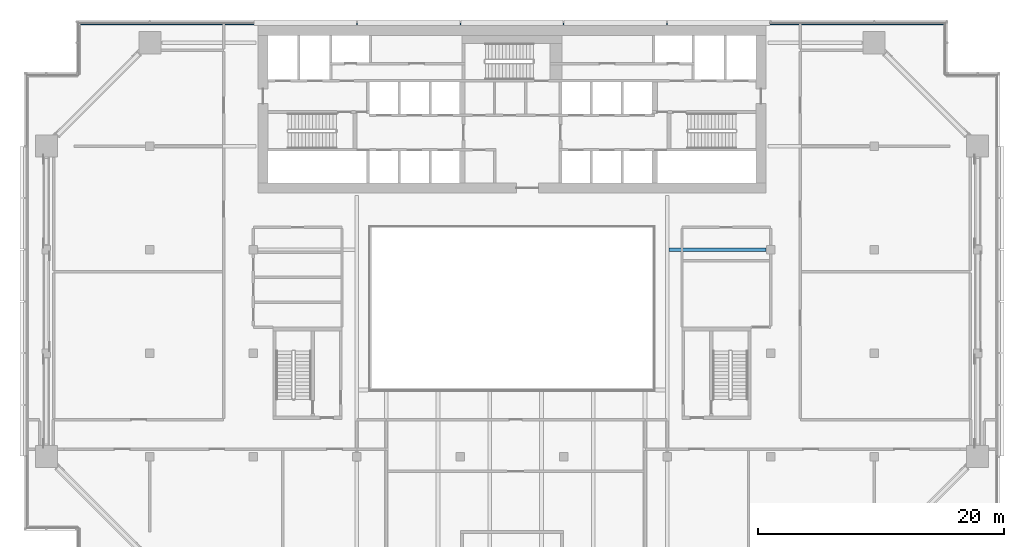
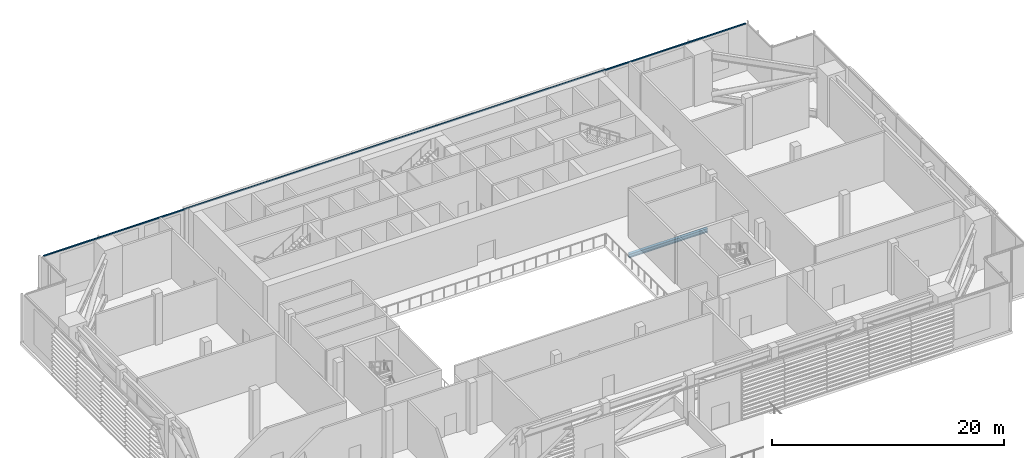
# One storey, part 7 of 29: 1 beam, 1 member, 1 element without a shape of its own.
"""IFC4 building model written with IfcOpenShell, lengths in metres."""

from ifc_helpers import new_model, si_unit, direction, frame, origin, origin_2d, place, context, subcontext, project, spatial, rectangle, i_section, extrude, material, material_profile, profile_set, type_object, element, aggregate, save


model = new_model("IFC4")

# Units and contexts
model_context = context("Model", 3, precision=1e-05, world=origin(), true_north=direction((0.0, 1.0)))
body_context = subcontext(model_context, "Body", "Model", "MODEL_VIEW")
ifc_project = project(units=[si_unit("LENGTHUNIT", "METRE"), si_unit("AREAUNIT", "SQUARE_METRE"), si_unit("VOLUMEUNIT", "CUBIC_METRE"), si_unit("PLANEANGLEUNIT", "RADIAN"), si_unit("MASSUNIT", "GRAM", prefix="KILO")], contexts=[model_context])

# Site, building, storey
site_placement = place(None, origin())
site = spatial("IfcSite", under=ifc_project, at=site_placement, CompositionType="ELEMENT")
building_placement = place(site_placement, origin())
building = spatial("IfcBuilding", under=site, at=building_placement, Name="Saffron Gate Tower", CompositionType="ELEMENT")
storey_placement = place(building_placement, frame((0.0, 0.0, 142.050048828125)))
storey = spatial("IfcBuildingStorey", under=building, at=storey_placement, Name="L34", CompositionType="ELEMENT", Elevation=142.050048828125)

# Beam
ifc_material_1 = material(Name="Structural steel S355", Category="steel")
ifc_material_profile_1 = material_profile(ifc_material_1, i_section(OverallWidth=0.300048828125, OverallDepth=0.39990234375, WebThickness=0.013427734375, FlangeThickness=0.02392578125, FilletRadius=0.027099609375, at=origin_2d()))
ifc_profile_set_1 = profile_set([ifc_material_profile_1], Name="Structural steel S355")
beam_type = type_object("IfcBeamType", Name="B2 HEB 400", PredefinedType="BEAM", material=ifc_profile_set_1)
beam_placement = place(storey_placement, frame((108.199951171875, 57.0, -0.5), z_axis=(-1.0, 0.0, 0.0), x_axis=(0.0, -1.0, 0.0)))
element("IfcBeam", 1, at=beam_placement, inside=storey, type_object=beam_type, Name="B2 CORE TIE BEAM", PredefinedType="BEAM", context=body_context, shape_type="SweptSolid", body=[
    extrude(i_section(OverallWidth=0.300048828125, OverallDepth=0.39990234375, WebThickness=0.013427734375, FlangeThickness=0.02392578125, FilletRadius=0.027099609375, at=origin_2d()), origin(), (0.0, 0.0, 1.0), 7.849853515625),
])

# Curtain wall, member
ifc_material_2 = material(Name="Aluminium, bronze anodised", Category="aluminium")
curtain_wall_type = type_object("IfcCurtainWallType", Name="CWS6 curtain wall tall storeys", PredefinedType="NOTDEFINED", material=ifc_material_2)
curtain_wall_placement = place(storey_placement, origin())
curtain_wall = element("IfcCurtainWall", 2, at=curtain_wall_placement, inside=storey, type_object=curtain_wall_type, Name="CWS6 run 7", PredefinedType="NOTDEFINED")
ifc_material_profile_2 = material_profile(ifc_material_2, rectangle(XDim=0.1201171875, YDim=0.1201171875, at=origin_2d()))
ifc_profile_set_2 = profile_set([ifc_material_profile_2], Name="Aluminium, bronze anodised")
member_type = type_object("IfcMemberType", Name="CWS6 head transom", PredefinedType="USERDEFINED", material=ifc_profile_set_2)
member_placement = place(storey_placement, frame((122.592041015625, 75.31201171875, 5.06005859375), z_axis=(-1.0, 0.0, 0.0), x_axis=(0.0, -1.0, 0.0)))
member = element("IfcMember", 3, at=member_placement, type_object=member_type, Name="CWS6 head transom", ObjectType="TRANSOM", PredefinedType="USERDEFINED", context=body_context, shape_type="SweptSolid", body=[
    extrude(rectangle(XDim=0.1201171875, YDim=0.1201171875, at=origin_2d()), origin(), (0.0, 0.0, 1.0), 69.984130859375),
])
aggregate(curtain_wall, [member])

save(model, "model.ifc")
